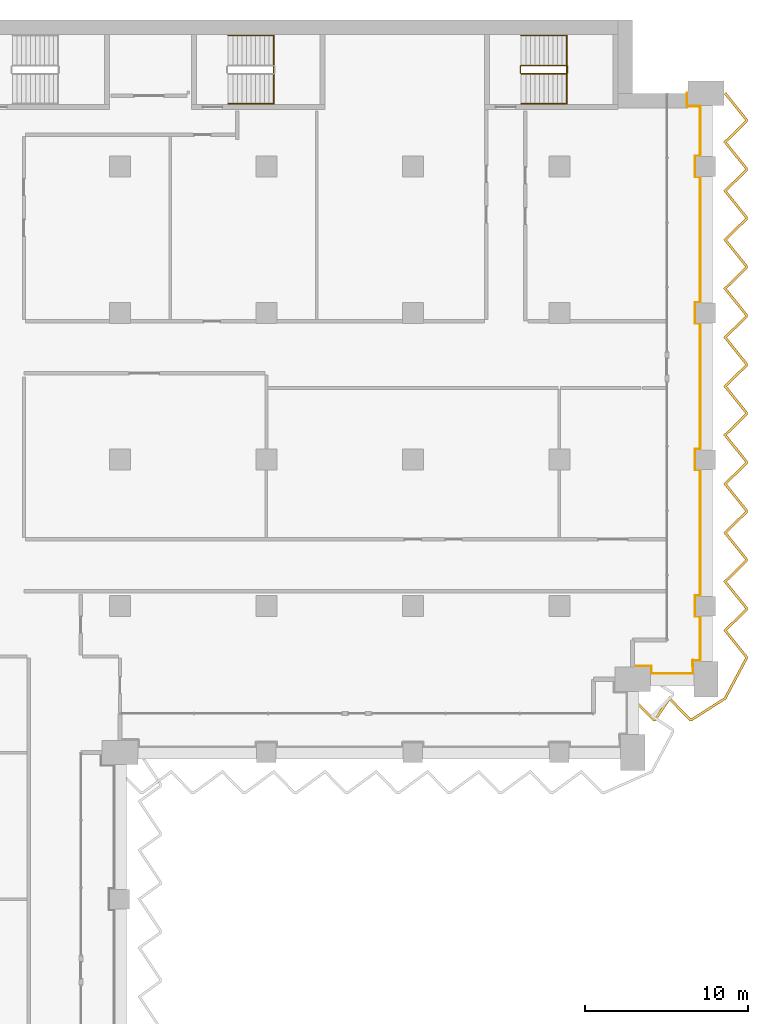
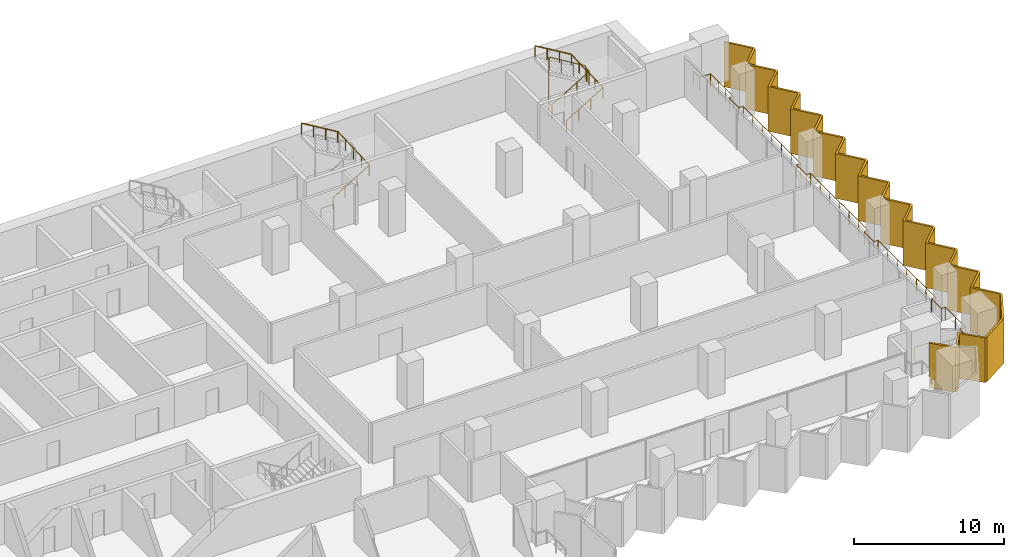
# One storey, part 23 of 23: 4 railings, 1 shading device.
"""IFC4 building model written with IfcOpenShell, lengths in metres."""

from ifc_helpers import new_model, si_unit, direction, frame, origin, origin_2d, place, context, subcontext, project, spatial, polyline, circle, outline, extrude, material, layer, layer_set, type_object, element, save


model = new_model("IFC4")

# Units and contexts
model_context = context("Model", 3, precision=1e-05, world=origin(), true_north=direction((0.0, 1.0)))
body_context = subcontext(model_context, "Body", "Model", "MODEL_VIEW")
ifc_project = project(units=[si_unit("LENGTHUNIT", "METRE"), si_unit("AREAUNIT", "SQUARE_METRE"), si_unit("VOLUMEUNIT", "CUBIC_METRE"), si_unit("PLANEANGLEUNIT", "RADIAN"), si_unit("MASSUNIT", "GRAM", prefix="KILO")], contexts=[model_context])

# Site, building, storey
site_placement = place(None, origin())
site = spatial("IfcSite", under=ifc_project, at=site_placement, CompositionType="ELEMENT")
building_placement = place(site_placement, origin())
building = spatial("IfcBuilding", under=site, at=building_placement, Name="Hunhe Ridgeline Campus", CompositionType="ELEMENT")
storey_placement = place(building_placement, frame((0.0, 0.0, 121.800048828125)))
storey = spatial("IfcBuildingStorey", under=building, at=storey_placement, Name="L30", CompositionType="ELEMENT", Elevation=121.800048828125)

# Railing
ifc_material_1 = material(Name="Steel Q355", Category="steel")
railing_type_1 = type_object("IfcRailingType", Name="Loggia guard 1100 Steel Q355", PredefinedType="GUARDRAIL", material=ifc_material_1)
railing_1_placement = place(storey_placement, frame((76.5, 59.320068359375, 0.0)))
element("IfcRailing", 1, at=railing_1_placement, inside=storey, type_object=railing_type_1, Name="Loggia guard 3", PredefinedType="GUARDRAIL", context=body_context, shape_type="SweptSolid", body=[
    extrude(circle(Radius=0.02392578125, at=origin_2d()), frame((0.0, 0.0, 1.076171875), z_axis=(1.0, 0.0, 0.0), x_axis=(0.0, 1.0, 0.0)), (0.0, 0.0, 1.0), 1.14990234375),
    extrude(circle(Radius=0.02392578125, at=origin_2d()), frame((1.14990234375, 0.0, 1.076171875), z_axis=(0.0, -1.0, 0.0), x_axis=(1.0, 0.0, 0.0)), (0.0, 0.0, 1.0), 0.469970703125),
    extrude(circle(Radius=0.02392578125, at=origin_2d()), frame((1.14990234375, -0.469970703125, 1.076171875), z_axis=(1.0, 0.0, 0.0), x_axis=(0.0, 1.0, 0.0)), (0.0, 0.0, 1.0), 2.550048828125),
    extrude(circle(Radius=0.02392578125, at=origin_2d()), frame((3.699951171875, -0.469970703125, 1.076171875), z_axis=(0.0, 1.0, 0.0), x_axis=(-1.0, 0.0, 0.0)), (0.0, 0.0, 1.0), 0.81982421875),
    extrude(circle(Radius=0.02392578125, at=origin_2d()), frame((3.699951171875, 0.349853515625, 1.076171875), z_axis=(-0.057129153726, -0.99836679622, 0.0), x_axis=(0.99836679622, -0.057129153726, 0.0)), (0.0, 0.0, 1.0), 0.350341796875),
    extrude(circle(Radius=0.02392578125, at=origin_2d()), frame((3.679931640625, 0.0, 1.076171875), z_axis=(0.0, 1.0, 0.0), x_axis=(-1.0, 0.0, 0.0)), (0.0, 0.0, 1.0), 0.329833984375),
    extrude(circle(Radius=0.02392578125, at=origin_2d()), frame((3.679931640625, 0.329833984375, 1.076171875), z_axis=(1.0, 0.0, 0.0), x_axis=(0.0, 1.0, 0.0)), (0.0, 0.0, 1.0), 0.469970703125),
    extrude(circle(Radius=0.02392578125, at=origin_2d()), frame((4.14990234375, 0.329833984375, 1.076171875), z_axis=(0.0, 1.0, 0.0), x_axis=(-1.0, 0.0, 0.0)), (0.0, 0.0, 1.0), 2.7001953125),
    extrude(circle(Radius=0.02392578125, at=origin_2d()), frame((4.14990234375, 3.030029296875, 1.076171875), z_axis=(-1.0, 0.0, 0.0), x_axis=(0.0, -1.0, 0.0)), (0.0, 0.0, 1.0), 0.31982421875),
    extrude(circle(Radius=0.02392578125, at=origin_2d()), frame((3.830078125, 3.030029296875, 1.076171875), z_axis=(0.0, 1.0, 0.0), x_axis=(-1.0, 0.0, 0.0)), (0.0, 0.0, 1.0), 1.2998046875),
    extrude(circle(Radius=0.02392578125, at=origin_2d()), frame((3.830078125, 4.329833984375, 1.076171875), z_axis=(1.0, 0.0, 0.0), x_axis=(0.0, 1.0, 0.0)), (0.0, 0.0, 1.0), 0.31982421875),
    extrude(circle(Radius=0.02392578125, at=origin_2d()), frame((4.14990234375, 4.329833984375, 1.076171875), z_axis=(0.0, 1.0, 0.0), x_axis=(-1.0, 0.0, 0.0)), (0.0, 0.0, 1.0), 7.7001953125),
    extrude(circle(Radius=0.02392578125, at=origin_2d()), frame((4.14990234375, 12.030029296875, 1.076171875), z_axis=(-1.0, 0.0, 0.0), x_axis=(0.0, -1.0, 0.0)), (0.0, 0.0, 1.0), 0.31982421875),
    extrude(circle(Radius=0.02392578125, at=origin_2d()), frame((3.830078125, 12.030029296875, 1.076171875), z_axis=(0.0, 1.0, 0.0), x_axis=(-1.0, 0.0, 0.0)), (0.0, 0.0, 1.0), 1.2998046875),
    extrude(circle(Radius=0.02392578125, at=origin_2d()), frame((3.830078125, 13.329833984375, 1.076171875), z_axis=(1.0, 0.0, 0.0), x_axis=(0.0, 1.0, 0.0)), (0.0, 0.0, 1.0), 0.31982421875),
    extrude(circle(Radius=0.02392578125, at=origin_2d()), frame((4.14990234375, 13.329833984375, 1.076171875), z_axis=(0.0, 1.0, 0.0), x_axis=(-1.0, 0.0, 0.0)), (0.0, 0.0, 1.0), 7.7001953125),
    extrude(circle(Radius=0.02392578125, at=origin_2d()), frame((4.14990234375, 21.030029296875, 1.076171875), z_axis=(-1.0, 0.0, 0.0), x_axis=(0.0, -1.0, 0.0)), (0.0, 0.0, 1.0), 0.31982421875),
    extrude(circle(Radius=0.02392578125, at=origin_2d()), frame((3.830078125, 21.030029296875, 1.076171875), z_axis=(0.0, 1.0, 0.0), x_axis=(-1.0, 0.0, 0.0)), (0.0, 0.0, 1.0), 1.2998046875),
    extrude(circle(Radius=0.02392578125, at=origin_2d()), frame((3.830078125, 22.329833984375, 1.076171875), z_axis=(1.0, 0.0, 0.0), x_axis=(0.0, 1.0, 0.0)), (0.0, 0.0, 1.0), 0.31982421875),
    extrude(circle(Radius=0.02392578125, at=origin_2d()), frame((4.14990234375, 22.329833984375, 1.076171875), z_axis=(0.0, 1.0, 0.0), x_axis=(-1.0, 0.0, 0.0)), (0.0, 0.0, 1.0), 7.7001953125),
    extrude(circle(Radius=0.02392578125, at=origin_2d()), frame((4.14990234375, 30.030029296875, 1.076171875), z_axis=(-1.0, 0.0, 0.0), x_axis=(0.0, -1.0, 0.0)), (0.0, 0.0, 1.0), 0.31982421875),
    extrude(circle(Radius=0.02392578125, at=origin_2d()), frame((3.830078125, 30.030029296875, 1.076171875), z_axis=(0.0, 1.0, 0.0), x_axis=(-1.0, 0.0, 0.0)), (0.0, 0.0, 1.0), 1.2998046875),
    extrude(circle(Radius=0.02392578125, at=origin_2d()), frame((3.830078125, 31.329833984375, 1.076171875), z_axis=(1.0, 0.0, 0.0), x_axis=(0.0, 1.0, 0.0)), (0.0, 0.0, 1.0), 0.31982421875),
    extrude(circle(Radius=0.02392578125, at=origin_2d()), frame((4.14990234375, 31.329833984375, 1.076171875), z_axis=(0.0, 1.0, 0.0), x_axis=(-1.0, 0.0, 0.0)), (0.0, 0.0, 1.0), 3.050048828125),
    extrude(circle(Radius=0.02392578125, at=origin_2d()), frame((4.14990234375, 34.3798828125, 1.076171875), z_axis=(-1.0, 0.0, 0.0), x_axis=(0.0, -1.0, 0.0)), (0.0, 0.0, 1.0), 0.81982421875),
    extrude(circle(Radius=0.02392578125, at=origin_2d()), frame((3.330078125, 34.3798828125, 1.076171875), z_axis=(0.0, 1.0, 0.0), x_axis=(-1.0, 0.0, 0.0)), (0.0, 0.0, 1.0), 0.800048828125),
    extrude(circle(Radius=0.02099609375, at=origin_2d()), origin(), (0.0, 0.0, 1.0), 1.052001953125),
    extrude(circle(Radius=0.02099609375, at=origin_2d()), frame((1.14990234375, 0.0, 0.0)), (0.0, 0.0, 1.0), 1.052001953125),
    extrude(circle(Radius=0.02099609375, at=origin_2d()), frame((1.14990234375, -0.469970703125, 0.0)), (0.0, 0.0, 1.0), 1.052001953125),
    extrude(circle(Radius=0.02099609375, at=origin_2d()), frame((2.4248046875, -0.469970703125, 0.0)), (0.0, 0.0, 1.0), 1.052001953125),
    extrude(circle(Radius=0.02099609375, at=origin_2d()), frame((3.699951171875, -0.469970703125, 0.0)), (0.0, 0.0, 1.0), 1.052001953125),
    extrude(circle(Radius=0.02099609375, at=origin_2d()), frame((3.699951171875, 0.349853515625, 0.0)), (0.0, 0.0, 1.0), 1.052001953125),
    extrude(circle(Radius=0.02099609375, at=origin_2d()), frame((3.679931640625, 0.0, 0.0)), (0.0, 0.0, 1.0), 1.052001953125),
    extrude(circle(Radius=0.02099609375, at=origin_2d()), frame((3.679931640625, 0.329833984375, 0.0)), (0.0, 0.0, 1.0), 1.052001953125),
    extrude(circle(Radius=0.02099609375, at=origin_2d()), frame((4.14990234375, 0.329833984375, 0.0)), (0.0, 0.0, 1.0), 1.052001953125),
    extrude(circle(Radius=0.02099609375, at=origin_2d()), frame((4.14990234375, 1.679931640625, 0.0)), (0.0, 0.0, 1.0), 1.052001953125),
    extrude(circle(Radius=0.02099609375, at=origin_2d()), frame((4.14990234375, 3.030029296875, 0.0)), (0.0, 0.0, 1.0), 1.052001953125),
    extrude(circle(Radius=0.02099609375, at=origin_2d()), frame((3.830078125, 3.030029296875, 0.0)), (0.0, 0.0, 1.0), 1.052001953125),
    extrude(circle(Radius=0.02099609375, at=origin_2d()), frame((3.830078125, 4.329833984375, 0.0)), (0.0, 0.0, 1.0), 1.052001953125),
    extrude(circle(Radius=0.02099609375, at=origin_2d()), frame((4.14990234375, 4.329833984375, 0.0)), (0.0, 0.0, 1.0), 1.052001953125),
    extrude(circle(Radius=0.02099609375, at=origin_2d()), frame((4.14990234375, 5.61328125, 0.0)), (0.0, 0.0, 1.0), 1.052001953125),
    extrude(circle(Radius=0.02099609375, at=origin_2d()), frame((4.14990234375, 6.896484375, 0.0)), (0.0, 0.0, 1.0), 1.052001953125),
    extrude(circle(Radius=0.02099609375, at=origin_2d()), frame((4.14990234375, 8.179931640625, 0.0)), (0.0, 0.0, 1.0), 1.052001953125),
    extrude(circle(Radius=0.02099609375, at=origin_2d()), frame((4.14990234375, 9.46337890625, 0.0)), (0.0, 0.0, 1.0), 1.052001953125),
    extrude(circle(Radius=0.02099609375, at=origin_2d()), frame((4.14990234375, 10.74658203125, 0.0)), (0.0, 0.0, 1.0), 1.052001953125),
    extrude(circle(Radius=0.02099609375, at=origin_2d()), frame((4.14990234375, 12.030029296875, 0.0)), (0.0, 0.0, 1.0), 1.052001953125),
    extrude(circle(Radius=0.02099609375, at=origin_2d()), frame((3.830078125, 12.030029296875, 0.0)), (0.0, 0.0, 1.0), 1.052001953125),
    extrude(circle(Radius=0.02099609375, at=origin_2d()), frame((3.830078125, 13.329833984375, 0.0)), (0.0, 0.0, 1.0), 1.052001953125),
    extrude(circle(Radius=0.02099609375, at=origin_2d()), frame((4.14990234375, 13.329833984375, 0.0)), (0.0, 0.0, 1.0), 1.052001953125),
    extrude(circle(Radius=0.02099609375, at=origin_2d()), frame((4.14990234375, 14.61328125, 0.0)), (0.0, 0.0, 1.0), 1.052001953125),
    extrude(circle(Radius=0.02099609375, at=origin_2d()), frame((4.14990234375, 15.896484375, 0.0)), (0.0, 0.0, 1.0), 1.052001953125),
    extrude(circle(Radius=0.02099609375, at=origin_2d()), frame((4.14990234375, 17.179931640625, 0.0)), (0.0, 0.0, 1.0), 1.052001953125),
    extrude(circle(Radius=0.02099609375, at=origin_2d()), frame((4.14990234375, 18.46337890625, 0.0)), (0.0, 0.0, 1.0), 1.052001953125),
    extrude(circle(Radius=0.02099609375, at=origin_2d()), frame((4.14990234375, 19.74658203125, 0.0)), (0.0, 0.0, 1.0), 1.052001953125),
    extrude(circle(Radius=0.02099609375, at=origin_2d()), frame((4.14990234375, 21.030029296875, 0.0)), (0.0, 0.0, 1.0), 1.052001953125),
    extrude(circle(Radius=0.02099609375, at=origin_2d()), frame((3.830078125, 21.030029296875, 0.0)), (0.0, 0.0, 1.0), 1.052001953125),
    extrude(circle(Radius=0.02099609375, at=origin_2d()), frame((3.830078125, 22.329833984375, 0.0)), (0.0, 0.0, 1.0), 1.052001953125),
    extrude(circle(Radius=0.02099609375, at=origin_2d()), frame((4.14990234375, 22.329833984375, 0.0)), (0.0, 0.0, 1.0), 1.052001953125),
    extrude(circle(Radius=0.02099609375, at=origin_2d()), frame((4.14990234375, 23.61328125, 0.0)), (0.0, 0.0, 1.0), 1.052001953125),
    extrude(circle(Radius=0.02099609375, at=origin_2d()), frame((4.14990234375, 24.896484375, 0.0)), (0.0, 0.0, 1.0), 1.052001953125),
    extrude(circle(Radius=0.02099609375, at=origin_2d()), frame((4.14990234375, 26.179931640625, 0.0)), (0.0, 0.0, 1.0), 1.052001953125),
    extrude(circle(Radius=0.02099609375, at=origin_2d()), frame((4.14990234375, 27.46337890625, 0.0)), (0.0, 0.0, 1.0), 1.052001953125),
    extrude(circle(Radius=0.02099609375, at=origin_2d()), frame((4.14990234375, 28.74658203125, 0.0)), (0.0, 0.0, 1.0), 1.052001953125),
    extrude(circle(Radius=0.02099609375, at=origin_2d()), frame((4.14990234375, 30.030029296875, 0.0)), (0.0, 0.0, 1.0), 1.052001953125),
    extrude(circle(Radius=0.02099609375, at=origin_2d()), frame((3.830078125, 30.030029296875, 0.0)), (0.0, 0.0, 1.0), 1.052001953125),
    extrude(circle(Radius=0.02099609375, at=origin_2d()), frame((3.830078125, 31.329833984375, 0.0)), (0.0, 0.0, 1.0), 1.052001953125),
    extrude(circle(Radius=0.02099609375, at=origin_2d()), frame((4.14990234375, 31.329833984375, 0.0)), (0.0, 0.0, 1.0), 1.052001953125),
    extrude(circle(Radius=0.02099609375, at=origin_2d()), frame((4.14990234375, 32.346435546875, 0.0)), (0.0, 0.0, 1.0), 1.052001953125),
    extrude(circle(Radius=0.02099609375, at=origin_2d()), frame((4.14990234375, 33.36328125, 0.0)), (0.0, 0.0, 1.0), 1.052001953125),
    extrude(circle(Radius=0.02099609375, at=origin_2d()), frame((4.14990234375, 34.3798828125, 0.0)), (0.0, 0.0, 1.0), 1.052001953125),
    extrude(circle(Radius=0.02099609375, at=origin_2d()), frame((3.330078125, 34.3798828125, 0.0)), (0.0, 0.0, 1.0), 1.052001953125),
    extrude(circle(Radius=0.02099609375, at=origin_2d()), frame((3.330078125, 35.179931640625, 0.0)), (0.0, 0.0, 1.0), 1.052001953125),
])

# Shading device
ifc_material_2 = material(Name="Concrete C50", Category="concrete")
ifc_layer = layer(ifc_material_2, 0.14990234375)
ifc_layer_set = layer_set([ifc_layer], Name="Sawtooth concrete fin 150 Concrete C50")
shading_device_type = type_object("IfcShadingDeviceType", Name="Sawtooth concrete fin 150 Concrete C50", PredefinedType="USERDEFINED", material=ifc_layer_set)
shading_device_placement = place(storey_placement, frame((0.0, 0.0, -0.949951171875)))
element("IfcShadingDevice", 2, at=shading_device_placement, inside=storey, type_object=shading_device_type, Name="Concrete fin screen 3", ObjectType="FIN", PredefinedType="USERDEFINED", context=body_context, shape_type="SweptSolid", body=[
    extrude(outline(polyline([(76.5537109375, 57.37744140625), (76.4462890625, 57.272705078125), (77.73583984375, 55.949951171875), (77.927734375, 55.949951171875), (78.76123046875, 57.2060546875), (79.98583984375, 55.949951171875), (80.159423828125, 55.949951171875), (82.23193359375, 57.2724609375), (83.550048828125, 59.748779296875), (83.550048828125, 59.9140625), (82.276123046875, 61.493896484375), (83.550048828125, 62.73583984375), (83.550048828125, 62.9140625), (82.276123046875, 64.493896484375), (83.550048828125, 65.73583984375), (83.550048828125, 65.9140625), (82.276123046875, 67.493896484375), (83.550048828125, 68.73583984375), (83.550048828125, 68.9140625), (82.276123046875, 70.493896484375), (83.550048828125, 71.73583984375), (83.550048828125, 71.9140625), (82.276123046875, 73.493896484375), (83.550048828125, 74.73583984375), (83.550048828125, 74.9140625), (82.276123046875, 76.493896484375), (83.550048828125, 77.73583984375), (83.550048828125, 77.9140625), (82.276123046875, 79.493896484375), (83.550048828125, 80.73583984375), (83.550048828125, 80.9140625), (82.276123046875, 82.493896484375), (83.550048828125, 83.73583984375), (83.550048828125, 83.9140625), (82.276123046875, 85.493896484375), (83.550048828125, 86.73583984375), (83.550048828125, 86.9140625), (82.276123046875, 88.493896484375), (83.550048828125, 89.73583984375), (83.550048828125, 89.9140625), (82.276123046875, 91.493896484375), (83.550048828125, 92.73583984375), (83.550048828125, 92.9140625), (82.2333984375, 94.547119140625), (82.11669921875, 94.452880859375), (83.39990234375, 92.861083984375), (83.39990234375, 92.799072265625), (82.07373046875, 91.506103515625), (83.39990234375, 89.861083984375), (83.39990234375, 89.799072265625), (82.07373046875, 88.506103515625), (83.39990234375, 86.861083984375), (83.39990234375, 86.799072265625), (82.07373046875, 85.506103515625), (83.39990234375, 83.861083984375), (83.39990234375, 83.799072265625), (82.07373046875, 82.506103515625), (83.39990234375, 80.861083984375), (83.39990234375, 80.799072265625), (82.07373046875, 79.506103515625), (83.39990234375, 77.861083984375), (83.39990234375, 77.799072265625), (82.07373046875, 76.506103515625), (83.39990234375, 74.861083984375), (83.39990234375, 74.799072265625), (82.07373046875, 73.506103515625), (83.39990234375, 71.861083984375), (83.39990234375, 71.799072265625), (82.07373046875, 70.506103515625), (83.39990234375, 68.861083984375), (83.39990234375, 68.799072265625), (82.07373046875, 67.506103515625), (83.39990234375, 65.861083984375), (83.39990234375, 65.799072265625), (82.07373046875, 64.506103515625), (83.39990234375, 62.861083984375), (83.39990234375, 62.799072265625), (82.07373046875, 61.506103515625), (83.39990234375, 59.861083984375), (83.39990234375, 59.7861328125), (82.1181640625, 57.377685546875), (80.11572265625, 56.10009765625), (80.049072265625, 56.10009765625), (78.73876953125, 57.44384765625), (77.84716796875, 56.10009765625), (77.799072265625, 56.10009765625), (76.5537109375, 57.37744140625)])), origin(), (0.0, 0.0, 1.0), 3.64990234375),
])

# Railings
ifc_material_3 = material(Name="Stainless steel balustrade", Category="steel")
railing_type_2 = type_object("IfcRailingType", Name="Stair guard 1100 stainless", PredefinedType="GUARDRAIL", material=ifc_material_3)
railing_2_placement = place(storey_placement, frame((69.64990234375, 95.699951171875, 0.168212890625)))
element("IfcRailing", 3, at=railing_2_placement, inside=storey, type_object=railing_type_2, Name="L30 stair E3 guard", PredefinedType="GUARDRAIL", context=body_context, shape_type="SweptSolid", body=[
    extrude(circle(Radius=0.02392578125, at=origin_2d()), frame((0.0, 0.0, 1.076171875), z_axis=(0.857275202839, 0.0, 0.514858452973), x_axis=(0.0, 1.0, 0.0)), (0.0, 0.0, 1.0), 3.26611328125),
    extrude(circle(Radius=0.02392578125, at=origin_2d()), frame((2.800048828125, 0.0, 2.7578125), z_axis=(0.707106781187, 0.707106781187, 0.0), x_axis=(-0.707106781187, 0.707106781187, 0.0)), (0.0, 0.0, 1.0), 0.07080078125),
    extrude(circle(Radius=0.02392578125, at=origin_2d()), frame((2.85009765625, 0.050048828125, 2.7578125), z_axis=(0.0, 1.0, 0.0), x_axis=(-1.0, 0.0, 0.0)), (0.0, 0.0, 1.0), 0.39990234375),
    extrude(circle(Radius=0.02392578125, at=origin_2d()), frame((2.85009765625, 0.449951171875, 2.7578125), z_axis=(-0.274243871929, 0.274243871929, 0.92172696468), x_axis=(-0.707106781187, -0.707106781187, 0.0)), (0.0, 0.0, 1.0), 0.1826171875),
    extrude(circle(Radius=0.02392578125, at=origin_2d()), frame((2.800048828125, 0.5, 2.92578125), z_axis=(-0.857242210791, 0.0, 0.514913383045), x_axis=(0.0, -1.0, 0.0)), (0.0, 0.0, 1.0), 3.266357421875),
    extrude(circle(Radius=0.02392578125, at=origin_2d()), frame((0.0, 0.5, 4.60791015625), z_axis=(-0.013458453615, -0.013524426427, -0.999817963389), x_axis=(0.708833529934, -0.705375805398, 0.0)), (0.0, 0.0, 1.0), 3.70068359375),
    extrude(circle(Radius=0.02392578125, at=origin_2d()), frame((-0.0498046875, 0.449951171875, 0.90771484375), z_axis=(0.0, -1.0, 0.0), x_axis=(1.0, 0.0, 0.0)), (0.0, 0.0, 1.0), 0.39990234375),
    extrude(circle(Radius=0.02099609375, at=origin_2d()), origin(), (0.0, 0.0, 1.0), 1.052001953125),
    extrude(circle(Radius=0.02099609375, at=origin_2d()), frame((0.933349609375, 0.0, 0.560546875)), (0.0, 0.0, 1.0), 1.052001953125),
    extrude(circle(Radius=0.02099609375, at=origin_2d()), frame((1.86669921875, 0.0, 1.12109375)), (0.0, 0.0, 1.0), 1.052001953125),
    extrude(circle(Radius=0.02099609375, at=origin_2d()), frame((2.800048828125, 0.0, 1.681640625)), (0.0, 0.0, 1.0), 1.052001953125),
    extrude(circle(Radius=0.02099609375, at=origin_2d()), frame((2.85009765625, 0.050048828125, 1.681640625)), (0.0, 0.0, 1.0), 1.052001953125),
    extrude(circle(Radius=0.02099609375, at=origin_2d()), frame((2.85009765625, 0.449951171875, 1.681640625)), (0.0, 0.0, 1.0), 1.052001953125),
    extrude(circle(Radius=0.02099609375, at=origin_2d()), frame((2.800048828125, 0.5, 1.849853515625)), (0.0, 0.0, 1.0), 1.052001953125),
    extrude(circle(Radius=0.02099609375, at=origin_2d()), frame((1.86669921875, 0.5, 2.410400390625)), (0.0, 0.0, 1.0), 1.052001953125),
    extrude(circle(Radius=0.02099609375, at=origin_2d()), frame((0.933349609375, 0.5, 2.97119140625)), (0.0, 0.0, 1.0), 1.052001953125),
    extrude(circle(Radius=0.02099609375, at=origin_2d()), frame((0.0, 0.5, 3.53173828125)), (0.0, 0.0, 1.0), 1.052001953125),
    extrude(circle(Radius=0.02099609375, at=origin_2d()), frame((-0.012451171875, 0.487548828125, 2.606689453125)), (0.0, 0.0, 1.0), 1.052001953125),
    extrude(circle(Radius=0.02099609375, at=origin_2d()), frame((-0.02490234375, 0.47509765625, 1.681640625)), (0.0, 0.0, 1.0), 1.052001953125),
    extrude(circle(Radius=0.02099609375, at=origin_2d()), frame((-0.037353515625, 0.46240234375, 0.7568359375)), (0.0, 0.0, 1.0), 1.052001953125),
    extrude(circle(Radius=0.02099609375, at=origin_2d()), frame((-0.0498046875, 0.449951171875, -0.168212890625)), (0.0, 0.0, 1.0), 1.052001953125),
    extrude(circle(Radius=0.02099609375, at=origin_2d()), frame((-0.0498046875, 0.050048828125, -0.168212890625)), (0.0, 0.0, 1.0), 1.052001953125),
])
ifc_material_4 = material(Name="Stainless steel handrail", Category="steel")
railing_type_3 = type_object("IfcRailingType", Name="Stair handrail 900 stainless", PredefinedType="HANDRAIL", material=ifc_material_4)
railing_3_placement = place(storey_placement, frame((51.64990234375, 93.85009765625, 0.168212890625)))
element("IfcRailing", 4, at=railing_3_placement, inside=storey, type_object=railing_type_3, Name="L30 stair E2 handrail", PredefinedType="HANDRAIL", context=body_context, shape_type="SweptSolid", body=[
    extrude(circle(Radius=0.02392578125, at=origin_2d()), frame((0.0, 0.0, 0.8759765625), z_axis=(0.857275202839, 0.0, 0.514858452973), x_axis=(0.0, 1.0, 0.0)), (0.0, 0.0, 1.0), 3.26611328125),
    extrude(circle(Radius=0.02392578125, at=origin_2d()), frame((2.800048828125, 0.0, 2.5576171875), z_axis=(0.0, 0.999198916169, 0.040019069537), x_axis=(-1.0, 0.0, 0.0)), (0.0, 0.0, 1.0), 4.203369140625),
    extrude(circle(Radius=0.02392578125, at=origin_2d()), frame((2.800048828125, 4.199951171875, 2.7255859375), z_axis=(-0.857242210791, 0.0, 0.514913383045), x_axis=(0.0, -1.0, 0.0)), (0.0, 0.0, 1.0), 3.266357421875),
    extrude(circle(Radius=0.02099609375, at=origin_2d()), origin(), (0.0, 0.0, 1.0), 0.851806640625),
    extrude(circle(Radius=0.02099609375, at=origin_2d()), frame((0.933349609375, 0.0, 0.560546875)), (0.0, 0.0, 1.0), 0.851806640625),
    extrude(circle(Radius=0.02099609375, at=origin_2d()), frame((1.86669921875, 0.0, 1.12109375)), (0.0, 0.0, 1.0), 0.851806640625),
    extrude(circle(Radius=0.02099609375, at=origin_2d()), frame((2.800048828125, 0.0, 1.681640625)), (0.0, 0.0, 1.0), 0.851806640625),
    extrude(circle(Radius=0.02099609375, at=origin_2d()), frame((2.800048828125, 1.050048828125, 1.7236328125)), (0.0, 0.0, 1.0), 0.851806640625),
    extrude(circle(Radius=0.02099609375, at=origin_2d()), frame((2.800048828125, 2.10009765625, 1.765625)), (0.0, 0.0, 1.0), 0.851806640625),
    extrude(circle(Radius=0.02099609375, at=origin_2d()), frame((2.800048828125, 3.14990234375, 1.807861328125)), (0.0, 0.0, 1.0), 0.851806640625),
    extrude(circle(Radius=0.02099609375, at=origin_2d()), frame((2.800048828125, 4.199951171875, 1.849853515625)), (0.0, 0.0, 1.0), 0.851806640625),
    extrude(circle(Radius=0.02099609375, at=origin_2d()), frame((1.86669921875, 4.199951171875, 2.410400390625)), (0.0, 0.0, 1.0), 0.851806640625),
    extrude(circle(Radius=0.02099609375, at=origin_2d()), frame((0.933349609375, 4.199951171875, 2.97119140625)), (0.0, 0.0, 1.0), 0.851806640625),
    extrude(circle(Radius=0.02099609375, at=origin_2d()), frame((0.0, 4.199951171875, 3.53173828125)), (0.0, 0.0, 1.0), 0.851806640625),
])
railing_4_placement = place(storey_placement, frame((69.64990234375, 93.85009765625, 0.168212890625)))
element("IfcRailing", 5, at=railing_4_placement, inside=storey, type_object=railing_type_3, Name="L30 stair E3 handrail", PredefinedType="HANDRAIL", context=body_context, shape_type="SweptSolid", body=[
    extrude(circle(Radius=0.02392578125, at=origin_2d()), frame((0.0, 0.0, 0.8759765625), z_axis=(0.857275202839, 0.0, 0.514858452973), x_axis=(0.0, 1.0, 0.0)), (0.0, 0.0, 1.0), 3.26611328125),
    extrude(circle(Radius=0.02392578125, at=origin_2d()), frame((2.800048828125, 0.0, 2.5576171875), z_axis=(0.0, 0.999198916169, 0.040019069537), x_axis=(-1.0, 0.0, 0.0)), (0.0, 0.0, 1.0), 4.203369140625),
    extrude(circle(Radius=0.02392578125, at=origin_2d()), frame((2.800048828125, 4.199951171875, 2.7255859375), z_axis=(-0.857242210791, 0.0, 0.514913383045), x_axis=(0.0, -1.0, 0.0)), (0.0, 0.0, 1.0), 3.266357421875),
    extrude(circle(Radius=0.02099609375, at=origin_2d()), origin(), (0.0, 0.0, 1.0), 0.851806640625),
    extrude(circle(Radius=0.02099609375, at=origin_2d()), frame((0.933349609375, 0.0, 0.560546875)), (0.0, 0.0, 1.0), 0.851806640625),
    extrude(circle(Radius=0.02099609375, at=origin_2d()), frame((1.86669921875, 0.0, 1.12109375)), (0.0, 0.0, 1.0), 0.851806640625),
    extrude(circle(Radius=0.02099609375, at=origin_2d()), frame((2.800048828125, 0.0, 1.681640625)), (0.0, 0.0, 1.0), 0.851806640625),
    extrude(circle(Radius=0.02099609375, at=origin_2d()), frame((2.800048828125, 1.050048828125, 1.7236328125)), (0.0, 0.0, 1.0), 0.851806640625),
    extrude(circle(Radius=0.02099609375, at=origin_2d()), frame((2.800048828125, 2.10009765625, 1.765625)), (0.0, 0.0, 1.0), 0.851806640625),
    extrude(circle(Radius=0.02099609375, at=origin_2d()), frame((2.800048828125, 3.14990234375, 1.807861328125)), (0.0, 0.0, 1.0), 0.851806640625),
    extrude(circle(Radius=0.02099609375, at=origin_2d()), frame((2.800048828125, 4.199951171875, 1.849853515625)), (0.0, 0.0, 1.0), 0.851806640625),
    extrude(circle(Radius=0.02099609375, at=origin_2d()), frame((1.86669921875, 4.199951171875, 2.410400390625)), (0.0, 0.0, 1.0), 0.851806640625),
    extrude(circle(Radius=0.02099609375, at=origin_2d()), frame((0.933349609375, 4.199951171875, 2.97119140625)), (0.0, 0.0, 1.0), 0.851806640625),
    extrude(circle(Radius=0.02099609375, at=origin_2d()), frame((0.0, 4.199951171875, 3.53173828125)), (0.0, 0.0, 1.0), 0.851806640625),
])

save(model, "model.ifc")
